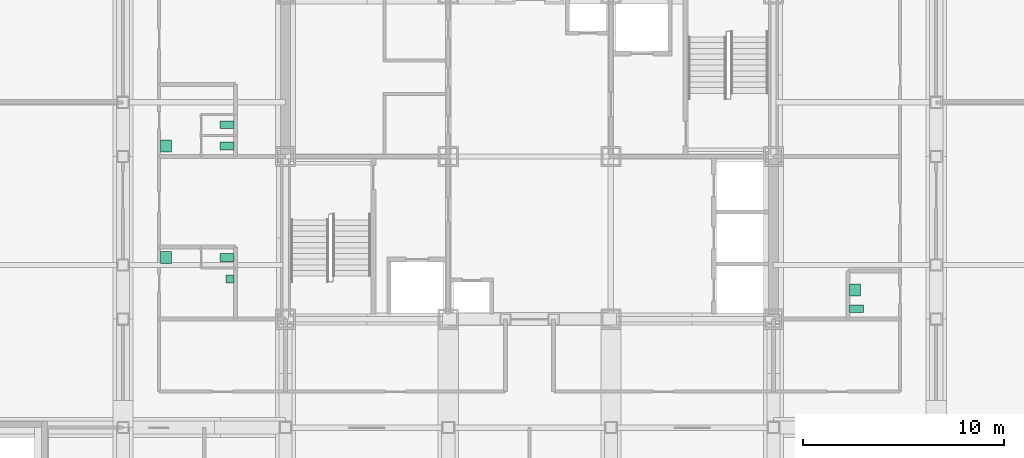
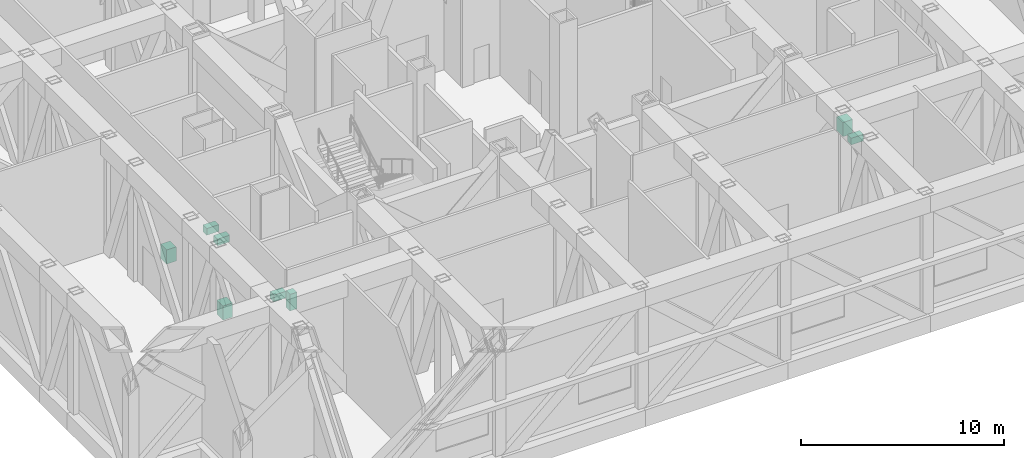
# One storey, part 13 of 13: 8 sanitary terminals.
"""IFC4 building model written with IfcOpenShell, lengths in metres."""

from ifc_helpers import new_model, si_unit, direction, frame, origin, origin_2d, place, context, subcontext, project, spatial, rectangle, extrude, material, element, save


model = new_model("IFC4")

# Units and contexts
model_context = context("Model", 3, precision=1e-05, world=origin(), true_north=direction((0.0, 1.0)))
body_context = subcontext(model_context, "Body", "Model", "MODEL_VIEW")
ifc_project = project(units=[si_unit("LENGTHUNIT", "METRE"), si_unit("AREAUNIT", "SQUARE_METRE"), si_unit("VOLUMEUNIT", "CUBIC_METRE"), si_unit("PLANEANGLEUNIT", "RADIAN"), si_unit("MASSUNIT", "GRAM", prefix="KILO")], contexts=[model_context])

# Site, building, storey
site_placement = place(None, origin())
site = spatial("IfcSite", under=ifc_project, at=site_placement, CompositionType="ELEMENT")
building_placement = place(site_placement, origin())
building = spatial("IfcBuilding", under=site, at=building_placement, Name="Kopane Lantern Tower", CompositionType="ELEMENT")
storey_placement = place(building_placement, frame((0.0, 0.0, 235.199951171875)))
storey = spatial("IfcBuildingStorey", under=building, at=storey_placement, Name="L61", CompositionType="ELEMENT", Elevation=235.199951171875)

# Sanitary terminals
ifc_material = material(Name="Vitreous china")
sanitary_terminal_1_placement = place(storey_placement, frame((13.27490234375, 27.375, 0.0), z_axis=(0.0, 0.0, 1.0), x_axis=(1.0, 0.0, 0.0)))
element("IfcSanitaryTerminal", 1, at=sanitary_terminal_1_placement, inside=storey, material=ifc_material, Name="WC pan L61", PredefinedType="TOILETPAN", context=body_context, shape_type="SweptSolid", body=[
    extrude(rectangle(XDim=0.699951171875, YDim=0.3798828125, at=origin_2d()), origin(), (0.0, 0.0, 1.0), 0.39990234375),
])
sanitary_terminal_2_placement = place(storey_placement, frame((13.425048828125, 26.300048828125, 0.0), z_axis=(0.0, 0.0, 1.0), x_axis=(1.0, 0.0, 0.0)))
element("IfcSanitaryTerminal", 2, at=sanitary_terminal_2_placement, inside=storey, material=ifc_material, Name="Urinal L61", PredefinedType="URINAL", context=body_context, shape_type="SweptSolid", body=[
    extrude(rectangle(XDim=0.39990234375, YDim=0.39990234375, at=origin_2d()), origin(), (0.0, 0.0, 1.0), 1.0),
])
sanitary_terminal_3_placement = place(storey_placement, frame((10.25, 27.375, 0.0), z_axis=(0.0, 0.0, 1.0), x_axis=(1.0, 0.0, 0.0)))
element("IfcSanitaryTerminal", 3, at=sanitary_terminal_3_placement, inside=storey, material=ifc_material, Name="Wash basin L61", PredefinedType="WASHHANDBASIN", context=body_context, shape_type="SweptSolid", body=[
    extrude(rectangle(XDim=0.550048828125, YDim=0.60009765625, at=origin_2d()), origin(), (0.0, 0.0, 1.0), 0.85009765625),
])
for number, where, z_axis, x_axis, name in (
    (4, (13.27490234375, 32.925048828125, 0.0), (0.0, 0.0, 1.0), (1.0, 0.0, 0.0), "WC pan L61"),
    (5, (13.27490234375, 33.97509765625, 0.0), (0.0, 0.0, 1.0), (1.0, 0.0, 0.0), "WC pan L61"),
):
    element("IfcSanitaryTerminal", number, at=place(storey_placement, frame(where, z_axis=z_axis, x_axis=x_axis)), inside=storey, material=ifc_material, Name=name, PredefinedType="TOILETPAN", context=body_context, shape_type="SweptSolid", body=[
        extrude(rectangle(XDim=0.699951171875, YDim=0.3798828125, at=origin_2d()), origin(), (0.0, 0.0, 1.0), 0.39990234375),
    ])
sanitary_terminal_4_placement = place(storey_placement, frame((10.25, 32.925048828125, 0.0), z_axis=(0.0, 0.0, 1.0), x_axis=(1.0, 0.0, 0.0)))
element("IfcSanitaryTerminal", 6, at=sanitary_terminal_4_placement, inside=storey, material=ifc_material, Name="Wash basin L61", PredefinedType="WASHHANDBASIN", context=body_context, shape_type="SweptSolid", body=[
    extrude(rectangle(XDim=0.550048828125, YDim=0.60009765625, at=origin_2d()), origin(), (0.0, 0.0, 1.0), 0.85009765625),
])
sanitary_terminal_5_placement = place(storey_placement, frame((44.625, 24.824951171875, 0.0), z_axis=(0.0, 0.0, 1.0), x_axis=(1.0, 0.0, 0.0)))
element("IfcSanitaryTerminal", 7, at=sanitary_terminal_5_placement, inside=storey, material=ifc_material, Name="WC pan L61", PredefinedType="TOILETPAN", context=body_context, shape_type="SweptSolid", body=[
    extrude(rectangle(XDim=0.699951171875, YDim=0.3798828125, at=origin_2d()), origin(), (0.0, 0.0, 1.0), 0.39990234375),
])
sanitary_terminal_6_placement = place(storey_placement, frame((44.550048828125, 25.75, 0.0), z_axis=(0.0, 0.0, 1.0), x_axis=(1.0, 0.0, 0.0)))
element("IfcSanitaryTerminal", 8, at=sanitary_terminal_6_placement, inside=storey, material=ifc_material, Name="Wash basin L61", PredefinedType="WASHHANDBASIN", context=body_context, shape_type="SweptSolid", body=[
    extrude(rectangle(XDim=0.550048828125, YDim=0.60009765625, at=origin_2d()), origin(), (0.0, 0.0, 1.0), 0.85009765625),
])

save(model, "model.ifc")
